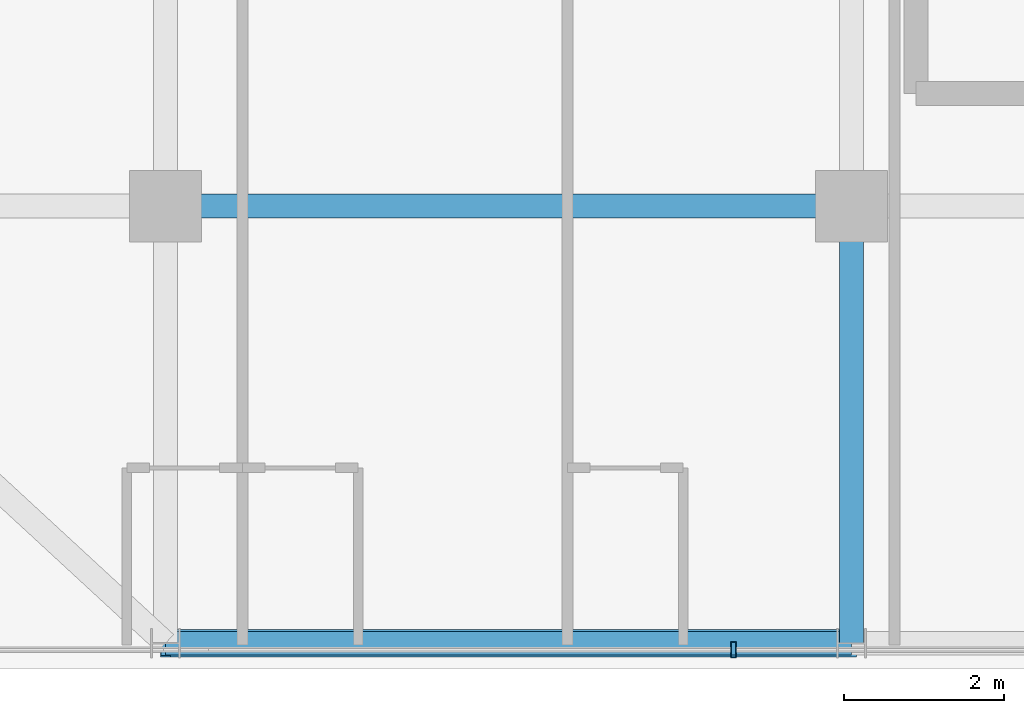
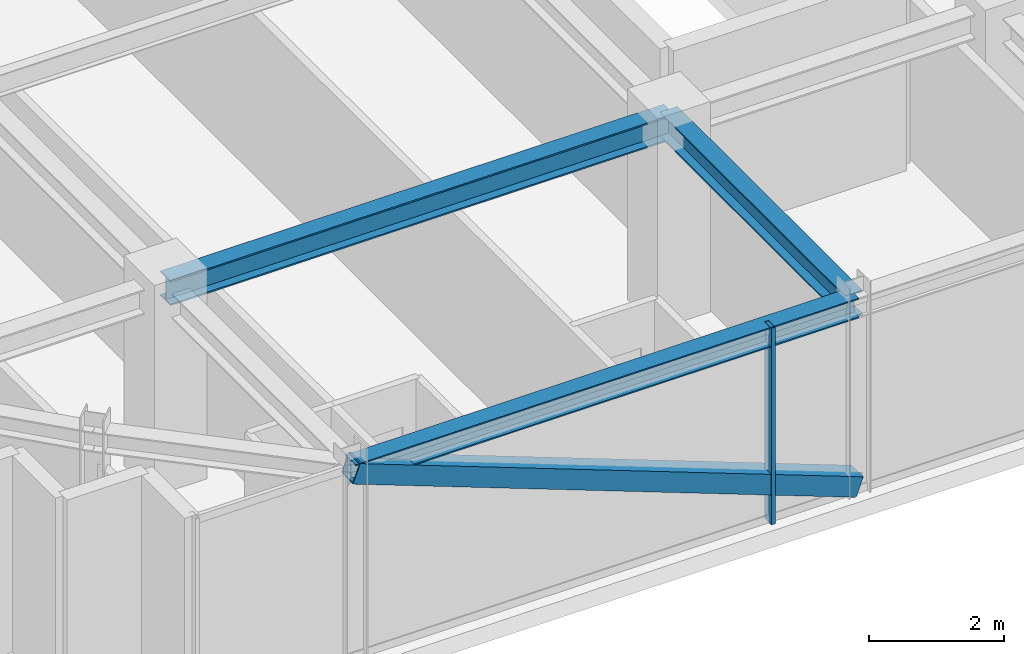
# One storey, part 5 of 39: 3 beams, 2 members, 1 element without a shape of its own.
"""IFC4 building model written with IfcOpenShell, lengths in metres."""

from ifc_helpers import new_model, si_unit, direction, frame, origin, origin_2d, place, context, subcontext, project, spatial, hollow_rectangle, i_section, extrude, source, transform, mapped, material, material_profile, profile_set, type_object, element, aggregate, save


model = new_model("IFC4")

# Units and contexts
model_context = context("Model", 3, precision=1e-05, world=origin(), true_north=direction((0.0, 1.0)))
body_context = subcontext(model_context, "Body", "Model", "MODEL_VIEW")
ifc_project = project(units=[si_unit("LENGTHUNIT", "METRE"), si_unit("AREAUNIT", "SQUARE_METRE"), si_unit("VOLUMEUNIT", "CUBIC_METRE"), si_unit("PLANEANGLEUNIT", "RADIAN"), si_unit("MASSUNIT", "GRAM", prefix="KILO")], contexts=[model_context])

# Site, building, storey
site_placement = place(None, origin())
site = spatial("IfcSite", under=ifc_project, at=site_placement, CompositionType="ELEMENT")
building_placement = place(site_placement, origin())
building = spatial("IfcBuilding", under=site, at=building_placement, Name="Nahalor Promenade Grand Hotel", CompositionType="ELEMENT")
storey_placement = place(building_placement, frame((0.0, 0.0, 311.89990234375)))
storey = spatial("IfcBuildingStorey", under=building, at=storey_placement, Name="L80", CompositionType="ELEMENT", Elevation=311.89990234375)

# Beams
ifc_material_1 = material(Name="Steel S355JR", Category="steel")
ifc_material_profile_1 = material_profile(ifc_material_1, i_section(OverallWidth=0.3, OverallDepth=0.45, WebThickness=0.014, FlangeThickness=0.026, at=origin_2d()), Name="HEB 450")
ifc_profile_set_1 = profile_set([ifc_material_profile_1], Name="Steel S355JR")
beam_type_1 = type_object("IfcBeamType", Name="Beam-Girder-HEB450", PredefinedType="BEAM", material=ifc_profile_set_1)
shared_shape_1 = source(origin(), body_context, "Body", "SweptSolid", [
    extrude(i_section(OverallWidth=0.3, OverallDepth=0.45, WebThickness=0.014, FlangeThickness=0.026, at=origin_2d()), origin(), (0.0, 0.0, 1.0), 8.60009765625),
])
beam_1_placement = place(storey_placement, frame((-17.0, -17.0, 3.3251953125), z_axis=(1.0, 0.0, 0.0), x_axis=(0.0, 1.0, 0.0)))
element("IfcBeam", 1, at=beam_1_placement, inside=storey, type_object=beam_type_1, Name="BM-L80-GX-0-1", PredefinedType="BEAM", context=body_context, shape_type="MappedRepresentation", body=[
    mapped(shared_shape_1, transform((0.0, 0.0, 0.0), scale=1.0)),
])
shared_shape_2 = source(origin(), body_context, "Body", "SweptSolid", [
    extrude(i_section(OverallWidth=0.3, OverallDepth=0.45, WebThickness=0.014, FlangeThickness=0.026, at=origin_2d()), origin(), (0.0, 0.0, 1.0), 5.47998046875),
])
beam_2_placement = place(storey_placement, frame((-8.39990234375, -22.47998046875, 3.3251953125), z_axis=(0.0, 1.0, 0.0), x_axis=(-1.0, 0.0, 0.0)))
element("IfcBeam", 2, at=beam_2_placement, inside=storey, type_object=beam_type_1, Name="BM-L80-GY-1-0", PredefinedType="BEAM", context=body_context, shape_type="MappedRepresentation", body=[
    mapped(shared_shape_2, transform((0.0, 0.0, 0.0), scale=1.0)),
])
ifc_material_profile_2 = material_profile(ifc_material_1, i_section(OverallWidth=0.3, OverallDepth=0.36, WebThickness=0.0125, FlangeThickness=0.0225, at=origin_2d()), Name="HEB 360")
ifc_profile_set_2 = profile_set([ifc_material_profile_2], Name="Steel S355JR")
beam_type_2 = type_object("IfcBeamType", Name="Beam-Spandrel-HEB360", PredefinedType="SPANDREL", material=ifc_profile_set_2)
shared_shape_3 = source(origin(), body_context, "Body", "SweptSolid", [
    extrude(i_section(OverallWidth=0.3, OverallDepth=0.36, WebThickness=0.0125, FlangeThickness=0.0225, at=origin_2d()), origin(), (0.0, 0.0, 1.0), 8.60009765625),
])
beam_3_placement = place(storey_placement, frame((-17.0, -22.47998046875, 3.3701171875), z_axis=(1.0, 0.0, 0.0), x_axis=(0.0, 1.0, 0.0)))
element("IfcBeam", 3, at=beam_3_placement, inside=storey, type_object=beam_type_2, Name="BM-L80-SP-S-0", PredefinedType="SPANDREL", context=body_context, shape_type="MappedRepresentation", body=[
    mapped(shared_shape_3, transform((0.0, 0.0, 0.0), scale=1.0)),
])

# Member
ifc_material_profile_3 = material_profile(ifc_material_1, hollow_rectangle(XDim=0.35, YDim=0.35, WallThickness=0.02, at=origin_2d()), Name="SHS 350x350x20")
ifc_profile_set_3 = profile_set([ifc_material_profile_3], Name="Steel S355JR")
member_type_1 = type_object("IfcMemberType", Name="Mem-VoidBrace-SHS350", PredefinedType="BRACE", material=ifc_profile_set_3)
shared_shape_4 = source(origin(), body_context, "Body", "SweptSolid", [
    extrude(hollow_rectangle(XDim=0.35, YDim=0.35, WallThickness=0.02, at=origin_2d()), origin(), (0.0, 0.0, 1.0), 9.193603515625),
])
member_1_placement = place(storey_placement, frame((-8.39990234375, -22.47998046875, 0.150146484375), z_axis=(-0.935433460247, 0.0, 0.353502816749), x_axis=(0.0, -1.0, 0.0)))
element("IfcMember", 4, at=member_1_placement, inside=storey, type_object=member_type_1, Name="EXO-L80-S-0", PredefinedType="BRACE", context=body_context, shape_type="MappedRepresentation", body=[
    mapped(shared_shape_4, transform((0.0, 0.0, 0.0), scale=1.0)),
])

# Curtain wall, member
ifc_material_2 = material(Name="Anodised Bronze Aluminium EN AW-6063 T6", Category="aluminium")
curtain_wall_type = type_object("IfcCurtainWallType", Name="CW3 Elliptical-Void Collar Unitised Curtain Wall", PredefinedType="USERDEFINED", material=ifc_material_2)
curtain_wall_placement = place(storey_placement, origin())
curtain_wall = element("IfcCurtainWall", 5, at=curtain_wall_placement, inside=storey, type_object=curtain_wall_type, Name="L80 Curtain Wall CW-L80-S-1", ObjectType="UNITISED_CURTAIN_WALL", PredefinedType="USERDEFINED")
ifc_material_profile_4 = material_profile(ifc_material_2, hollow_rectangle(XDim=0.07, YDim=0.2, WallThickness=0.005, at=origin_2d()), Name="CWM 70x200x5")
ifc_profile_set_4 = profile_set([ifc_material_profile_4], Name="Anodised Bronze Aluminium EN AW-6063 T6")
member_type_2 = type_object("IfcMemberType", Name="CWM3 Void Collar Mullion 70x200", PredefinedType="MULLION", material=ifc_profile_set_4)
shared_shape_5 = source(origin(), body_context, "Body", "SweptSolid", [
    extrude(hollow_rectangle(XDim=0.07, YDim=0.2, WallThickness=0.005, at=origin_2d()), origin(), (0.0, 0.0, 1.0), 3.550048828125),
])
member_2_placement = place(storey_placement, frame((-9.8798828125, -22.56005859375, 0.0), z_axis=(0.0, 0.0, 1.0), x_axis=(1.0, 0.0, 0.0)))
member_2 = element("IfcMember", 6, at=member_2_placement, type_object=member_type_2, Name="CW-L80-S-1 Mullion 1", PredefinedType="MULLION", context=body_context, shape_type="MappedRepresentation", body=[
    mapped(shared_shape_5, transform((0.0, 0.0, 0.0), scale=1.0)),
])
aggregate(curtain_wall, [member_2])

save(model, "model.ifc")
